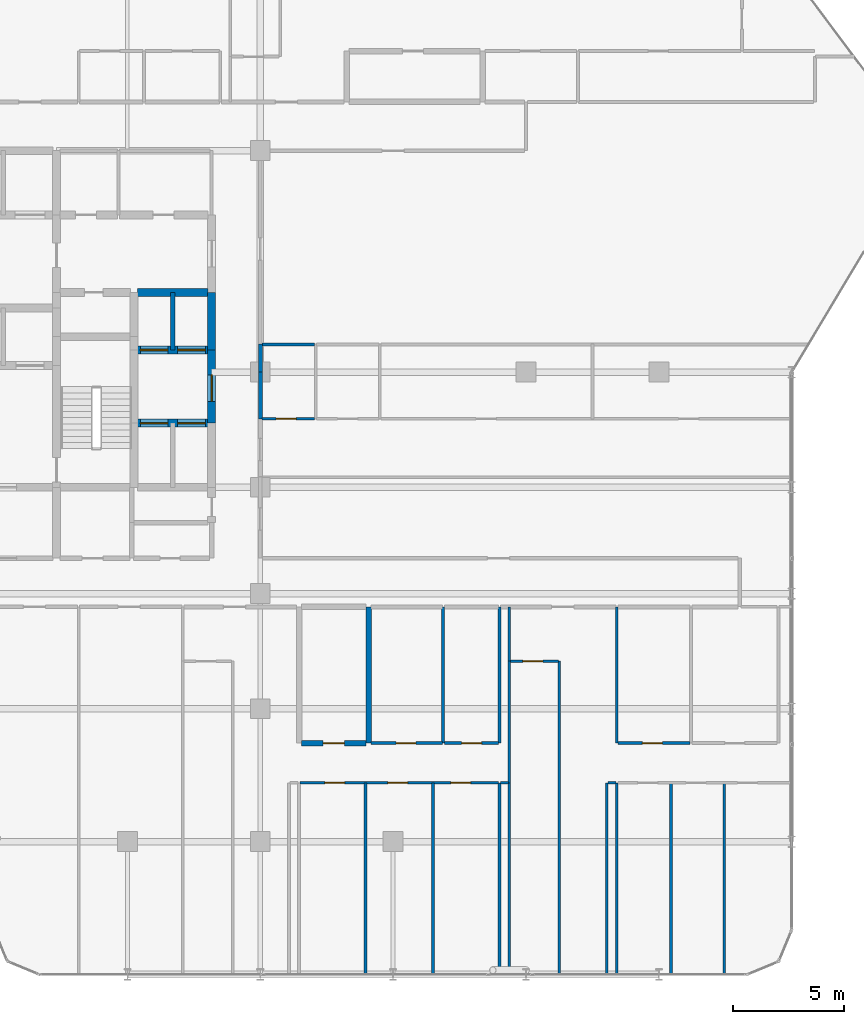
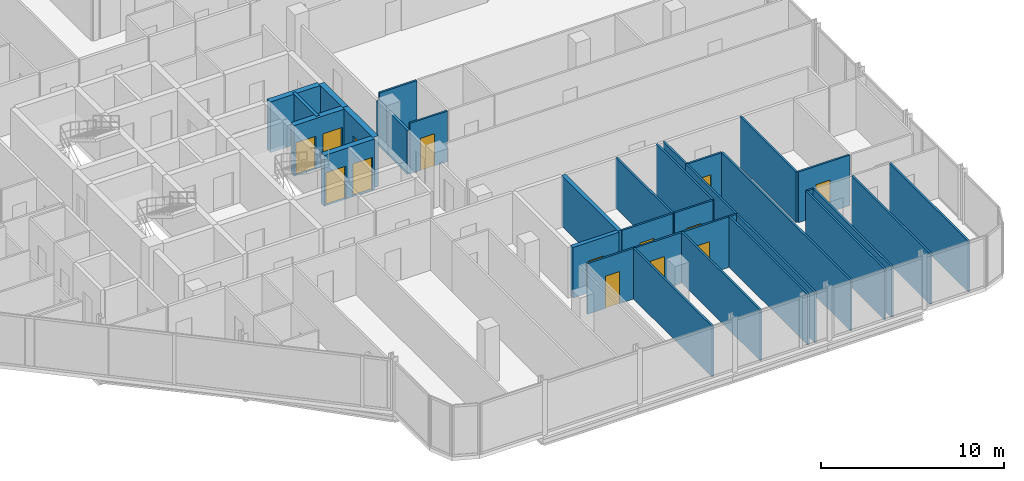
# One storey, part 27 of 32: 33 walls, 14 doors, 14 openings.
"""IFC4 building model written with IfcOpenShell, lengths in metres."""

from ifc_helpers import new_model, si_unit, direction, frame, frame_2d, origin, place, context, subcontext, project, spatial, rectangle, extrude, material, layer, layer_set, type_object, element, fill, save


model = new_model("IFC4")

# Units and contexts
model_context = context("Model", 3, precision=1e-05, world=origin(), true_north=direction((0.0, 1.0)))
body_context = subcontext(model_context, "Body", "Model", "MODEL_VIEW")
ifc_project = project(units=[si_unit("LENGTHUNIT", "METRE"), si_unit("AREAUNIT", "SQUARE_METRE"), si_unit("VOLUMEUNIT", "CUBIC_METRE"), si_unit("PLANEANGLEUNIT", "RADIAN"), si_unit("MASSUNIT", "GRAM", prefix="KILO")], contexts=[model_context])

# Site, building, storey
site_placement = place(None, origin())
site = spatial("IfcSite", under=ifc_project, at=site_placement, CompositionType="ELEMENT")
building_placement = place(site_placement, origin())
building = spatial("IfcBuilding", under=site, at=building_placement, Name="Keshet Zoharim Tower", CompositionType="ELEMENT")
storey_placement = place(building_placement, frame((0.0, 0.0, 137.199951171875)))
storey = spatial("IfcBuildingStorey", under=building, at=storey_placement, Name="L33", CompositionType="ELEMENT", Elevation=137.199951171875)

# Wall, opening, door
ifc_material_1 = material(Name="Concrete C60/75", Category="concrete")
ifc_layer_1 = layer(ifc_material_1, 0.35009765625)
ifc_layer_set_1 = layer_set([ifc_layer_1], Name="Concrete C60/75")
wall_type_1 = type_object("IfcWallType", Name="WL-CORE-350", PredefinedType="SHEAR", material=ifc_layer_set_1)
wall_1_placement = place(storey_placement, frame((30.800048828125, 25.60009765625, 0.0), z_axis=(0.0, 0.0, 1.0), x_axis=(0.0, 1.0, 0.0)))
wall_1 = element("IfcWall", 1, at=wall_1_placement, inside=storey, type_object=wall_type_1, Name="L33 Core Shear Wall 061", PredefinedType="SHEAR", context=body_context, shape_type="SweptSolid", body=[
    extrude(rectangle(XDim=3.2998046875, YDim=0.35009765625, at=frame_2d((1.64990234375, 0.0))), origin(), (0.0, 0.0, 1.0), 3.385009765625),
])
opening_1_placement = place(wall_1_placement, frame((0.97802734375, 0.0, 0.0)))
opening_1 = element("IfcOpeningElement", 2, at=opening_1_placement, cuts=wall_1, Name="Opening D-F612", PredefinedType="OPENING", context=body_context, shape_type="SweptSolid", body=[
    extrude(rectangle(XDim=1.199951171875, YDim=2.199951171875, at=frame_2d((0.60009765625, 1.10009765625))), frame((0.0, 0.18505859375, 0.0), z_axis=(0.0, -1.0, 0.0), x_axis=(1.0, 0.0, 0.0)), (0.0, 0.0, 1.0), 0.3701171875),
])
ifc_material_2 = material(Name="Hardwood Timber", Category="wood")
door_type_1 = type_object("IfcDoorType", Name="DR-FD60-120", OperationType="NOTDEFINED", PredefinedType="DOOR", material=ifc_material_2)
door_1_placement = place(opening_1_placement, origin())
door_1 = element("IfcDoor", 3, at=door_1_placement, inside=storey, type_object=door_type_1, Name="L33 East Lift Lobby Fire Door", OperationType="SINGLE_SWING_RIGHT", OverallHeight=2.199951171875, OverallWidth=1.199951171875, PredefinedType="DOOR", context=body_context, shape_type="SweptSolid", body=[
    extrude(rectangle(XDim=1.199951171875, YDim=2.199951171875, at=frame_2d((0.60009765625, 1.10009765625))), frame((0.0, 0.02490234375, 0.0), z_axis=(0.0, -1.0, 0.0), x_axis=(1.0, 0.0, 0.0)), (0.0, 0.0, 1.0), 0.050048828125),
])
fill(opening_1, door_1)

# Wall
wall_2_placement = place(storey_placement, frame((30.800048828125, 28.89990234375, 0.0), z_axis=(0.0, 0.0, 1.0), x_axis=(0.0, 1.0, 0.0)))
element("IfcWall", 4, at=wall_2_placement, inside=storey, type_object=wall_type_1, Name="L33 Core Shear Wall 062", PredefinedType="SHEAR", context=body_context, shape_type="SweptSolid", body=[
    extrude(rectangle(XDim=2.60009765625, YDim=0.35009765625, at=frame_2d((1.300048828125, 0.0))), origin(), (0.0, 0.0, 1.0), 3.385009765625),
])

# Wall, openings, doors
wall_3_placement = place(storey_placement, frame((27.4599609375, 25.60009765625, 0.0), z_axis=(0.0, 0.0, 1.0), x_axis=(1.0, 0.0, 0.0)))
wall_3 = element("IfcWall", 5, at=wall_3_placement, inside=storey, type_object=wall_type_1, Name="L33 Core Shear Wall 161", PredefinedType="SHEAR", context=body_context, shape_type="SweptSolid", body=[
    extrude(rectangle(XDim=3.179931640625, YDim=0.35009765625, at=frame_2d((1.58984375, 0.0))), origin(), (0.0, 0.0, 1.0), 3.385009765625),
])
opening_2_placement = place(wall_3_placement, frame((0.1201171875, 0.0, 0.0)))
opening_2 = element("IfcOpeningElement", 6, at=opening_2_placement, cuts=wall_3, Name="Opening LD-01", PredefinedType="OPENING", context=body_context, shape_type="SweptSolid", body=[
    extrude(rectangle(XDim=1.25, YDim=2.199951171875, at=frame_2d((0.625, 1.10009765625))), frame((0.0, 0.18505859375, 0.0), z_axis=(0.0, -1.0, 0.0), x_axis=(1.0, 0.0, 0.0)), (0.0, 0.0, 1.0), 0.3701171875),
])
opening_3_placement = place(wall_3_placement, frame((1.81005859375, 0.0, 0.0)))
opening_3 = element("IfcOpeningElement", 7, at=opening_3_placement, cuts=wall_3, Name="Opening LD-01", PredefinedType="OPENING", context=body_context, shape_type="SweptSolid", body=[
    extrude(rectangle(XDim=1.25, YDim=2.199951171875, at=frame_2d((0.625, 1.10009765625))), frame((0.0, 0.18505859375, 0.0), z_axis=(0.0, -1.0, 0.0), x_axis=(1.0, 0.0, 0.0)), (0.0, 0.0, 1.0), 0.3701171875),
])
ifc_material_3 = material(Name="Steel S355", Category="steel")
door_type_2 = type_object("IfcDoorType", Name="DR-LD01-125", OperationType="DOUBLE_DOOR_SLIDING", PredefinedType="DOOR", material=ifc_material_3)
door_2_placement = place(opening_2_placement, origin())
door_2 = element("IfcDoor", 8, at=door_2_placement, inside=storey, type_object=door_type_2, Name="L33 Passenger Lift Landing Door LF-07", OperationType="DOUBLE_DOOR_SLIDING", OverallHeight=2.199951171875, OverallWidth=1.25, PredefinedType="DOOR", context=body_context, shape_type="SweptSolid", body=[
    extrude(rectangle(XDim=1.25, YDim=2.199951171875, at=frame_2d((0.625, 1.10009765625))), frame((0.0, 0.02490234375, 0.0), z_axis=(0.0, -1.0, 0.0), x_axis=(1.0, 0.0, 0.0)), (0.0, 0.0, 1.0), 0.050048828125),
])
fill(opening_2, door_2)
door_3_placement = place(opening_3_placement, origin())
door_3 = element("IfcDoor", 9, at=door_3_placement, inside=storey, type_object=door_type_2, Name="L33 Passenger Lift Landing Door LF-08", OperationType="DOUBLE_DOOR_SLIDING", OverallHeight=2.199951171875, OverallWidth=1.25, PredefinedType="DOOR", context=body_context, shape_type="SweptSolid", body=[
    extrude(rectangle(XDim=1.25, YDim=2.199951171875, at=frame_2d((0.625, 1.10009765625))), frame((0.0, 0.02490234375, 0.0), z_axis=(0.0, -1.0, 0.0), x_axis=(1.0, 0.0, 0.0)), (0.0, 0.0, 1.0), 0.050048828125),
])
fill(opening_3, door_3)

wall_4_placement = place(storey_placement, frame((27.4599609375, 28.89990234375, 0.0), z_axis=(0.0, 0.0, 1.0), x_axis=(1.0, 0.0, 0.0)))
wall_4 = element("IfcWall", 10, at=wall_4_placement, inside=storey, type_object=wall_type_1, Name="L33 Core Shear Wall 172", PredefinedType="SHEAR", context=body_context, shape_type="SweptSolid", body=[
    extrude(rectangle(XDim=3.179931640625, YDim=0.35009765625, at=frame_2d((1.58984375, 0.0))), origin(), (0.0, 0.0, 1.0), 3.385009765625),
])
opening_4_placement = place(wall_4_placement, frame((0.1201171875, 0.0, 0.0)))
opening_4 = element("IfcOpeningElement", 11, at=opening_4_placement, cuts=wall_4, Name="Opening LD-01", PredefinedType="OPENING", context=body_context, shape_type="SweptSolid", body=[
    extrude(rectangle(XDim=1.25, YDim=2.199951171875, at=frame_2d((0.625, 1.10009765625))), frame((0.0, 0.18505859375, 0.0), z_axis=(0.0, -1.0, 0.0), x_axis=(1.0, 0.0, 0.0)), (0.0, 0.0, 1.0), 0.3701171875),
])
opening_5_placement = place(wall_4_placement, frame((1.81005859375, 0.0, 0.0)))
opening_5 = element("IfcOpeningElement", 12, at=opening_5_placement, cuts=wall_4, Name="Opening LD-01", PredefinedType="OPENING", context=body_context, shape_type="SweptSolid", body=[
    extrude(rectangle(XDim=1.25, YDim=2.199951171875, at=frame_2d((0.625, 1.10009765625))), frame((0.0, 0.18505859375, 0.0), z_axis=(0.0, -1.0, 0.0), x_axis=(1.0, 0.0, 0.0)), (0.0, 0.0, 1.0), 0.3701171875),
])
door_4_placement = place(opening_4_placement, origin())
door_4 = element("IfcDoor", 13, at=door_4_placement, inside=storey, type_object=door_type_2, Name="L33 Passenger Lift Landing Door LF-05", OperationType="DOUBLE_DOOR_SLIDING", OverallHeight=2.199951171875, OverallWidth=1.25, PredefinedType="DOOR", context=body_context, shape_type="SweptSolid", body=[
    extrude(rectangle(XDim=1.25, YDim=2.199951171875, at=frame_2d((0.625, 1.10009765625))), frame((0.0, 0.02490234375, 0.0), z_axis=(0.0, -1.0, 0.0), x_axis=(1.0, 0.0, 0.0)), (0.0, 0.0, 1.0), 0.050048828125),
])
fill(opening_4, door_4)
door_5_placement = place(opening_5_placement, origin())
door_5 = element("IfcDoor", 14, at=door_5_placement, inside=storey, type_object=door_type_2, Name="L33 Passenger Lift Landing Door LF-06", OperationType="DOUBLE_DOOR_SLIDING", OverallHeight=2.199951171875, OverallWidth=1.25, PredefinedType="DOOR", context=body_context, shape_type="SweptSolid", body=[
    extrude(rectangle(XDim=1.25, YDim=2.199951171875, at=frame_2d((0.625, 1.10009765625))), frame((0.0, 0.02490234375, 0.0), z_axis=(0.0, -1.0, 0.0), x_axis=(1.0, 0.0, 0.0)), (0.0, 0.0, 1.0), 0.050048828125),
])
fill(opening_5, door_5)

# Walls
wall_5_placement = place(storey_placement, frame((27.4599609375, 31.5, 0.0), z_axis=(0.0, 0.0, 1.0), x_axis=(1.0, 0.0, 0.0)))
element("IfcWall", 15, at=wall_5_placement, inside=storey, type_object=wall_type_1, Name="L33 Core Shear Wall 183", PredefinedType="SHEAR", context=body_context, shape_type="SweptSolid", body=[
    extrude(rectangle(XDim=3.179931640625, YDim=0.35009765625, at=frame_2d((1.58984375, 0.0))), origin(), (0.0, 0.0, 1.0), 3.385009765625),
])
ifc_material_4 = material(Name="Gypsum Plasterboard", Category="gypsum")
ifc_layer_2 = layer(ifc_material_4, 0.179931640625)
ifc_layer_set_2 = layer_set([ifc_layer_2], Name="Gypsum Plasterboard")
wall_type_2 = type_object("IfcWallType", Name="WL-CORR-180", PredefinedType="STANDARD", material=ifc_layer_set_2)
wall_6_placement = place(storey_placement, frame((33.0, 25.780029296875, 0.0), z_axis=(0.0, 0.0, 1.0), x_axis=(0.0, 1.0, 0.0)))
element("IfcWall", 16, at=wall_6_placement, inside=storey, type_object=wall_type_2, Name="L33 Interior Wall 073", PredefinedType="STANDARD", context=body_context, shape_type="SweptSolid", body=[
    extrude(rectangle(XDim=2.119873046875, YDim=0.179931640625, at=frame_2d((1.06005859375, 0.0))), origin(), (0.0, 0.0, 1.0), 2.93505859375),
])
wall_7_placement = place(storey_placement, frame((33.0, 27.89990234375, 0.0), z_axis=(0.0, 0.0, 1.0), x_axis=(0.0, 1.0, 0.0)))
element("IfcWall", 17, at=wall_7_placement, inside=storey, type_object=wall_type_2, Name="L33 Interior Wall 073 Part 2", PredefinedType="STANDARD", context=body_context, shape_type="SweptSolid", body=[
    extrude(rectangle(XDim=1.260009765625, YDim=0.179931640625, at=frame_2d((0.6298828125, 0.0))), origin(), (0.0, 0.0, 1.0), 2.885009765625),
])
ifc_material_5 = material(Name="Concrete C50/60", Category="concrete")
ifc_layer_3 = layer(ifc_material_5, 0.199951171875)
ifc_layer_set_3 = layer_set([ifc_layer_3], Name="Concrete C50/60")
wall_type_3 = type_object("IfcWallType", Name="WL-FIRE-200", PredefinedType="STANDARD", material=ifc_layer_set_3)
wall_8_placement = place(storey_placement, frame((29.050048828125, 28.89990234375, 0.0), z_axis=(0.0, 0.0, 1.0), x_axis=(0.0, 1.0, 0.0)))
element("IfcWall", 18, at=wall_8_placement, inside=storey, type_object=wall_type_3, Name="L33 Interior Wall 055", PredefinedType="STANDARD", context=body_context, shape_type="SweptSolid", body=[
    extrude(rectangle(XDim=2.60009765625, YDim=0.199951171875, at=frame_2d((1.300048828125, 0.0))), origin(), (0.0, 0.0, 1.0), 3.385009765625),
])
ifc_layer_4 = layer(ifc_material_5, 0.25)
ifc_layer_set_4 = layer_set([ifc_layer_4], Name="Concrete C50/60")
wall_type_4 = type_object("IfcWallType", Name="WL-MAMAD-250", PredefinedType="STANDARD", material=ifc_layer_set_4)
wall_9_placement = place(storey_placement, frame((37.89990234375, 11.14990234375, 0.0), z_axis=(0.0, 0.0, 1.0), x_axis=(0.0, 1.0, 0.0)))
element("IfcWall", 19, at=wall_9_placement, inside=storey, type_object=wall_type_4, Name="L33 Interior Wall 086", PredefinedType="STANDARD", context=body_context, shape_type="SweptSolid", body=[
    extrude(rectangle(XDim=6.150146484375, YDim=0.25, at=frame_2d((3.0751953125, 0.0))), origin(), (0.0, 0.0, 1.0), 3.385009765625),
])

# Wall, opening, door
wall_10_placement = place(storey_placement, frame((34.860107421875, 11.14990234375, 0.0), z_axis=(0.0, 0.0, 1.0), x_axis=(1.0, 0.0, 0.0)))
wall_10 = element("IfcWall", 20, at=wall_10_placement, inside=storey, type_object=wall_type_4, Name="L33 Interior Wall 121", PredefinedType="STANDARD", context=body_context, shape_type="SweptSolid", body=[
    extrude(rectangle(XDim=2.914794921875, YDim=0.25, at=frame_2d((1.45751953125, 0.0))), origin(), (0.0, 0.0, 1.0), 3.385009765625),
])
opening_6_placement = place(wall_10_placement, frame((0.98291015625, 0.0, 0.0)))
opening_6 = element("IfcOpeningElement", 21, at=opening_6_placement, cuts=wall_10, Name="Opening D-F695", PredefinedType="OPENING", context=body_context, shape_type="SweptSolid", body=[
    extrude(rectangle(XDim=0.949951171875, YDim=2.14990234375, at=frame_2d((0.47509765625, 1.074951171875))), frame((0.0, 0.135009765625, 0.0), z_axis=(0.0, -1.0, 0.0), x_axis=(1.0, 0.0, 0.0)), (0.0, 0.0, 1.0), 0.27001953125),
])
door_type_3 = type_object("IfcDoorType", Name="DR-FD60-095", OperationType="NOTDEFINED", PredefinedType="DOOR", material=ifc_material_2)
door_6_placement = place(opening_6_placement, origin())
door_6 = element("IfcDoor", 22, at=door_6_placement, inside=storey, type_object=door_type_3, Name="Apartment 3302 Study and Shelter Room Door", OperationType="SINGLE_SWING_RIGHT", OverallHeight=2.14990234375, OverallWidth=0.949951171875, PredefinedType="DOOR", context=body_context, shape_type="SweptSolid", body=[
    extrude(rectangle(XDim=0.949951171875, YDim=2.14990234375, at=frame_2d((0.47509765625, 1.074951171875))), frame((0.0, 0.02490234375, 0.0), z_axis=(0.0, -1.0, 0.0), x_axis=(1.0, 0.0, 0.0)), (0.0, 0.0, 1.0), 0.050048828125),
])
fill(opening_6, door_6)

# Walls
ifc_layer_5 = layer(ifc_material_4, 0.1201171875)
ifc_layer_set_5 = layer_set([ifc_layer_5], Name="Gypsum Plasterboard")
wall_type_5 = type_object("IfcWallType", Name="WL-PART-120", PredefinedType="PARTITIONING", material=ifc_layer_set_5)
for number, where, z_axis, x_axis, name in (
    (23, (37.75, 0.7099609375, 0.0), (0.0, 0.0, 1.0), (0.0, 1.0, 0.0), "L33 Interior Wall 085"),
    (24, (40.800048828125, 0.7099609375, 0.0), (0.0, 0.0, 1.0), (0.0, 1.0, 0.0), "L33 Interior Wall 089"),
    (25, (43.800048828125, 0.7099609375, 0.0), (0.0, 0.0, 1.0), (0.0, 1.0, 0.0), "L33 Interior Wall 093"),
    (26, (44.25, 0.7099609375, 0.0), (0.0, 0.0, 1.0), (0.0, 1.0, 0.0), "L33 Interior Wall 095"),
):
    element("IfcWall", number, at=place(storey_placement, frame(where, z_axis=z_axis, x_axis=x_axis)), inside=storey, type_object=wall_type_5, Name=name, PredefinedType="PARTITIONING", context=body_context, shape_type="SweptSolid", body=[
        extrude(rectangle(XDim=8.64013671875, YDim=0.1201171875, at=frame_2d((4.320068359375, 0.0))), origin(), (0.0, 0.0, 1.0), 3.385009765625),
    ])
wall_11_placement = place(storey_placement, frame((44.25, 9.35009765625, 0.0), z_axis=(0.0, 0.0, 1.0), x_axis=(0.0, 1.0, 0.0)))
element("IfcWall", 27, at=wall_11_placement, inside=storey, type_object=wall_type_5, Name="L33 Interior Wall 096", PredefinedType="PARTITIONING", context=body_context, shape_type="SweptSolid", body=[
    extrude(rectangle(XDim=5.5, YDim=0.1201171875, at=frame_2d((2.75, 0.0))), origin(), (0.0, 0.0, 1.0), 3.385009765625),
])
wall_12_placement = place(storey_placement, frame((44.25, 14.85009765625, 0.0), z_axis=(0.0, 0.0, 1.0), x_axis=(0.0, 1.0, 0.0)))
element("IfcWall", 28, at=wall_12_placement, inside=storey, type_object=wall_type_5, Name="L33 Interior Wall 097", PredefinedType="PARTITIONING", context=body_context, shape_type="SweptSolid", body=[
    extrude(rectangle(XDim=2.449951171875, YDim=0.1201171875, at=frame_2d((1.22509765625, 0.0))), origin(), (0.0, 0.0, 1.0), 3.385009765625),
])
wall_13_placement = place(storey_placement, frame((46.5, 0.7099609375, 0.0), z_axis=(0.0, 0.0, 1.0), x_axis=(0.0, 1.0, 0.0)))
element("IfcWall", 29, at=wall_13_placement, inside=storey, type_object=wall_type_5, Name="L33 Interior Wall 100", PredefinedType="PARTITIONING", context=body_context, shape_type="SweptSolid", body=[
    extrude(rectangle(XDim=14.14013671875, YDim=0.1201171875, at=frame_2d((7.070068359375, 0.0))), origin(), (0.0, 0.0, 1.0), 3.385009765625),
])
for number, where, z_axis, x_axis, name in (
    (30, (48.64990234375, 0.7099609375, 0.0), (0.0, 0.0, 1.0), (0.0, 1.0, 0.0), "L33 Interior Wall 104"),
    (31, (49.10009765625, 0.7099609375, 0.0), (0.0, 0.0, 1.0), (0.0, 1.0, 0.0), "L33 Interior Wall 105"),
):
    element("IfcWall", number, at=place(storey_placement, frame(where, z_axis=z_axis, x_axis=x_axis)), inside=storey, type_object=wall_type_5, Name=name, PredefinedType="PARTITIONING", context=body_context, shape_type="SweptSolid", body=[
        extrude(rectangle(XDim=8.64013671875, YDim=0.1201171875, at=frame_2d((4.320068359375, 0.0))), origin(), (0.0, 0.0, 1.0), 3.385009765625),
    ])
wall_14_placement = place(storey_placement, frame((49.10009765625, 11.14990234375, 0.0), z_axis=(0.0, 0.0, 1.0), x_axis=(0.0, 1.0, 0.0)))
element("IfcWall", 32, at=wall_14_placement, inside=storey, type_object=wall_type_5, Name="L33 Interior Wall 106", PredefinedType="PARTITIONING", context=body_context, shape_type="SweptSolid", body=[
    extrude(rectangle(XDim=6.150146484375, YDim=0.1201171875, at=frame_2d((3.0751953125, 0.0))), origin(), (0.0, 0.0, 1.0), 3.385009765625),
])
for number, where, z_axis, x_axis, name in (
    (33, (51.550048828125, 0.7099609375, 0.0), (0.0, 0.0, 1.0), (0.0, 1.0, 0.0), "L33 Interior Wall 108"),
    (34, (53.949951171875, 0.7099609375, 0.0), (0.0, 0.0, 1.0), (0.0, 1.0, 0.0), "L33 Interior Wall 111"),
):
    element("IfcWall", number, at=place(storey_placement, frame(where, z_axis=z_axis, x_axis=x_axis)), inside=storey, type_object=wall_type_5, Name=name, PredefinedType="PARTITIONING", context=body_context, shape_type="SweptSolid", body=[
        extrude(rectangle(XDim=8.64013671875, YDim=0.1201171875, at=frame_2d((4.320068359375, 0.0))), origin(), (0.0, 0.0, 1.0), 3.385009765625),
    ])

# Wall, openings, doors
wall_15_placement = place(storey_placement, frame((34.794921875, 9.35009765625, 0.0), z_axis=(0.0, 0.0, 1.0), x_axis=(1.0, 0.0, 0.0)))
wall_15 = element("IfcWall", 35, at=wall_15_placement, inside=storey, type_object=wall_type_5, Name="L33 Interior Wall 117", PredefinedType="PARTITIONING", context=body_context, shape_type="SweptSolid", body=[
    extrude(rectangle(XDim=8.969970703125, YDim=0.1201171875, at=frame_2d((4.48486328125, 0.0))), origin(), (0.0, 0.0, 1.0), 3.385009765625),
])
opening_7_placement = place(wall_15_placement, frame((1.118896484375, 0.0, 0.0)))
opening_7 = element("IfcOpeningElement", 36, at=opening_7_placement, cuts=wall_15, Name="Opening D-IN90", PredefinedType="OPENING", context=body_context, shape_type="SweptSolid", body=[
    extrude(rectangle(XDim=0.89990234375, YDim=2.14990234375, at=frame_2d((0.449951171875, 1.074951171875))), frame((0.0, 0.070068359375, 0.0), z_axis=(0.0, -1.0, 0.0), x_axis=(1.0, 0.0, 0.0)), (0.0, 0.0, 1.0), 0.14013671875),
])
opening_8_placement = place(wall_15_placement, frame((3.9619140625, 0.0, 0.0)))
opening_8 = element("IfcOpeningElement", 37, at=opening_8_placement, cuts=wall_15, Name="Opening D-IN90", PredefinedType="OPENING", context=body_context, shape_type="SweptSolid", body=[
    extrude(rectangle(XDim=0.89990234375, YDim=2.14990234375, at=frame_2d((0.449951171875, 1.074951171875))), frame((0.0, 0.070068359375, 0.0), z_axis=(0.0, -1.0, 0.0), x_axis=(1.0, 0.0, 0.0)), (0.0, 0.0, 1.0), 0.14013671875),
])
opening_9_placement = place(wall_15_placement, frame((6.80908203125, 0.0, 0.0)))
opening_9 = element("IfcOpeningElement", 38, at=opening_9_placement, cuts=wall_15, Name="Opening D-IN90", PredefinedType="OPENING", context=body_context, shape_type="SweptSolid", body=[
    extrude(rectangle(XDim=0.89990234375, YDim=2.14990234375, at=frame_2d((0.449951171875, 1.074951171875))), frame((0.0, 0.070068359375, 0.0), z_axis=(0.0, -1.0, 0.0), x_axis=(1.0, 0.0, 0.0)), (0.0, 0.0, 1.0), 0.14013671875),
])
door_type_4 = type_object("IfcDoorType", Name="DR-INT-090", OperationType="NOTDEFINED", PredefinedType="DOOR", material=ifc_material_2)
door_7_placement = place(opening_7_placement, origin())
door_7 = element("IfcDoor", 39, at=door_7_placement, inside=storey, type_object=door_type_4, Name="Apartment 3302 Bedroom 1 Door", OperationType="SINGLE_SWING_RIGHT", OverallHeight=2.14990234375, OverallWidth=0.89990234375, PredefinedType="DOOR", context=body_context, shape_type="SweptSolid", body=[
    extrude(rectangle(XDim=0.89990234375, YDim=2.14990234375, at=frame_2d((0.449951171875, 1.074951171875))), frame((0.0, 0.02490234375, 0.0), z_axis=(0.0, -1.0, 0.0), x_axis=(1.0, 0.0, 0.0)), (0.0, 0.0, 1.0), 0.050048828125),
])
fill(opening_7, door_7)
door_8_placement = place(opening_8_placement, origin())
door_8 = element("IfcDoor", 40, at=door_8_placement, inside=storey, type_object=door_type_4, Name="Apartment 3302 Bedroom 2 Door", OperationType="SINGLE_SWING_LEFT", OverallHeight=2.14990234375, OverallWidth=0.89990234375, PredefinedType="DOOR", context=body_context, shape_type="SweptSolid", body=[
    extrude(rectangle(XDim=0.89990234375, YDim=2.14990234375, at=frame_2d((0.449951171875, 1.074951171875))), frame((0.0, 0.02490234375, 0.0), z_axis=(0.0, -1.0, 0.0), x_axis=(1.0, 0.0, 0.0)), (0.0, 0.0, 1.0), 0.050048828125),
])
fill(opening_8, door_8)
door_9_placement = place(opening_9_placement, origin())
door_9 = element("IfcDoor", 41, at=door_9_placement, inside=storey, type_object=door_type_4, Name="Apartment 3302 Bedroom 3 Door", OperationType="SINGLE_SWING_RIGHT", OverallHeight=2.14990234375, OverallWidth=0.89990234375, PredefinedType="DOOR", context=body_context, shape_type="SweptSolid", body=[
    extrude(rectangle(XDim=0.89990234375, YDim=2.14990234375, at=frame_2d((0.449951171875, 1.074951171875))), frame((0.0, 0.02490234375, 0.0), z_axis=(0.0, -1.0, 0.0), x_axis=(1.0, 0.0, 0.0)), (0.0, 0.0, 1.0), 0.050048828125),
])
fill(opening_9, door_9)

# Walls
wall_16_placement = place(storey_placement, frame((43.85498046875, 9.35009765625, 0.0), z_axis=(0.0, 0.0, 1.0), x_axis=(1.0, 0.0, 0.0)))
element("IfcWall", 42, at=wall_16_placement, inside=storey, type_object=wall_type_5, Name="L33 Interior Wall 118", PredefinedType="PARTITIONING", context=body_context, shape_type="SweptSolid", body=[
    extrude(rectangle(XDim=0.360107421875, YDim=0.1201171875, at=frame_2d((0.18017578125, 0.0))), origin(), (0.0, 0.0, 1.0), 3.385009765625),
])
wall_17_placement = place(storey_placement, frame((48.705078125, 9.35009765625, 0.0), z_axis=(0.0, 0.0, 1.0), x_axis=(1.0, 0.0, 0.0)))
element("IfcWall", 43, at=wall_17_placement, inside=storey, type_object=wall_type_5, Name="L33 Interior Wall 119", PredefinedType="PARTITIONING", context=body_context, shape_type="SweptSolid", body=[
    extrude(rectangle(XDim=0.35986328125, YDim=0.1201171875, at=frame_2d((0.179931640625, 0.0))), origin(), (0.0, 0.0, 1.0), 3.385009765625),
])

# Wall, opening, door
wall_18_placement = place(storey_placement, frame((37.9951171875, 11.14990234375, 0.0), z_axis=(0.0, 0.0, 1.0), x_axis=(1.0, 0.0, 0.0)))
wall_18 = element("IfcWall", 44, at=wall_18_placement, inside=storey, type_object=wall_type_5, Name="L33 Interior Wall 122", PredefinedType="PARTITIONING", context=body_context, shape_type="SweptSolid", body=[
    extrude(rectangle(XDim=3.23291015625, YDim=0.1201171875, at=frame_2d((1.616455078125, 0.0))), origin(), (0.0, 0.0, 1.0), 3.385009765625),
])
opening_10_placement = place(wall_18_placement, frame((1.134033203125, 0.0, 0.0)))
opening_10 = element("IfcOpeningElement", 45, at=opening_10_placement, cuts=wall_18, Name="Opening D-IN90", PredefinedType="OPENING", context=body_context, shape_type="SweptSolid", body=[
    extrude(rectangle(XDim=0.89990234375, YDim=2.14990234375, at=frame_2d((0.449951171875, 1.074951171875))), frame((0.0, 0.070068359375, 0.0), z_axis=(0.0, -1.0, 0.0), x_axis=(1.0, 0.0, 0.0)), (0.0, 0.0, 1.0), 0.14013671875),
])
door_10_placement = place(opening_10_placement, origin())
door_10 = element("IfcDoor", 46, at=door_10_placement, inside=storey, type_object=door_type_4, Name="Apartment 3302 Kitchen Door", OperationType="SINGLE_SWING_LEFT", OverallHeight=2.14990234375, OverallWidth=0.89990234375, PredefinedType="DOOR", context=body_context, shape_type="SweptSolid", body=[
    extrude(rectangle(XDim=0.89990234375, YDim=2.14990234375, at=frame_2d((0.449951171875, 1.074951171875))), frame((0.0, 0.02490234375, 0.0), z_axis=(0.0, -1.0, 0.0), x_axis=(1.0, 0.0, 0.0)), (0.0, 0.0, 1.0), 0.050048828125),
])
fill(opening_10, door_10)

wall_19_placement = place(storey_placement, frame((49.155029296875, 11.14990234375, 0.0), z_axis=(0.0, 0.0, 1.0), x_axis=(1.0, 0.0, 0.0)))
wall_19 = element("IfcWall", 47, at=wall_19_placement, inside=storey, type_object=wall_type_5, Name="L33 Interior Wall 124", PredefinedType="PARTITIONING", context=body_context, shape_type="SweptSolid", body=[
    extrude(rectangle(XDim=3.259033203125, YDim=0.1201171875, at=frame_2d((1.62939453125, 0.0))), origin(), (0.0, 0.0, 1.0), 3.385009765625),
])
opening_11_placement = place(wall_19_placement, frame((1.10498046875, 0.0, 0.0)))
opening_11 = element("IfcOpeningElement", 48, at=opening_11_placement, cuts=wall_19, Name="Opening D-IN90", PredefinedType="OPENING", context=body_context, shape_type="SweptSolid", body=[
    extrude(rectangle(XDim=0.89990234375, YDim=2.14990234375, at=frame_2d((0.449951171875, 1.074951171875))), frame((0.0, 0.070068359375, 0.0), z_axis=(0.0, -1.0, 0.0), x_axis=(1.0, 0.0, 0.0)), (0.0, 0.0, 1.0), 0.14013671875),
])
door_11_placement = place(opening_11_placement, origin())
door_11 = element("IfcDoor", 49, at=door_11_placement, inside=storey, type_object=door_type_4, Name="Apartment 3303 Kitchen Door", OperationType="SINGLE_SWING_LEFT", OverallHeight=2.14990234375, OverallWidth=0.89990234375, PredefinedType="DOOR", context=body_context, shape_type="SweptSolid", body=[
    extrude(rectangle(XDim=0.89990234375, YDim=2.14990234375, at=frame_2d((0.449951171875, 1.074951171875))), frame((0.0, 0.02490234375, 0.0), z_axis=(0.0, -1.0, 0.0), x_axis=(1.0, 0.0, 0.0)), (0.0, 0.0, 1.0), 0.050048828125),
])
fill(opening_11, door_11)

wall_20_placement = place(storey_placement, frame((44.304931640625, 14.85009765625, 0.0), z_axis=(0.0, 0.0, 1.0), x_axis=(1.0, 0.0, 0.0)))
wall_20 = element("IfcWall", 50, at=wall_20_placement, inside=storey, type_object=wall_type_5, Name="L33 Interior Wall 129", PredefinedType="PARTITIONING", context=body_context, shape_type="SweptSolid", body=[
    extrude(rectangle(XDim=2.16015625, YDim=0.1201171875, at=frame_2d((1.080078125, 0.0))), origin(), (0.0, 0.0, 1.0), 3.385009765625),
])
opening_12_placement = place(wall_20_placement, frame((0.552978515625, 0.0, 0.0)))
opening_12 = element("IfcOpeningElement", 51, at=opening_12_placement, cuts=wall_20, Name="Opening D-IN90", PredefinedType="OPENING", context=body_context, shape_type="SweptSolid", body=[
    extrude(rectangle(XDim=0.89990234375, YDim=2.14990234375, at=frame_2d((0.449951171875, 1.074951171875))), frame((0.0, 0.070068359375, 0.0), z_axis=(0.0, -1.0, 0.0), x_axis=(1.0, 0.0, 0.0)), (0.0, 0.0, 1.0), 0.14013671875),
])
door_12_placement = place(opening_12_placement, origin())
door_12 = element("IfcDoor", 52, at=door_12_placement, inside=storey, type_object=door_type_4, Name="Apartment 3303 Formal Dining Room Door", OperationType="SINGLE_SWING_RIGHT", OverallHeight=2.14990234375, OverallWidth=0.89990234375, PredefinedType="DOOR", context=body_context, shape_type="SweptSolid", body=[
    extrude(rectangle(XDim=0.89990234375, YDim=2.14990234375, at=frame_2d((0.449951171875, 1.074951171875))), frame((0.0, 0.02490234375, 0.0), z_axis=(0.0, -1.0, 0.0), x_axis=(1.0, 0.0, 0.0)), (0.0, 0.0, 1.0), 0.050048828125),
])
fill(opening_12, door_12)

wall_21_placement = place(storey_placement, frame((33.074951171875, 25.800048828125, 0.0), z_axis=(0.0, 0.0, 1.0), x_axis=(1.0, 0.0, 0.0)))
wall_21 = element("IfcWall", 53, at=wall_21_placement, inside=storey, type_object=wall_type_5, Name="L33 Interior Wall 164", PredefinedType="PARTITIONING", context=body_context, shape_type="SweptSolid", body=[
    extrude(rectangle(XDim=2.364013671875, YDim=0.1201171875, at=frame_2d((1.18212890625, 0.0))), origin(), (0.0, 0.0, 1.0), 3.385009765625),
])
opening_13_placement = place(wall_21_placement, frame((0.64111328125, 0.0, 0.0)))
opening_13 = element("IfcOpeningElement", 54, at=opening_13_placement, cuts=wall_21, Name="Opening D-IN90", PredefinedType="OPENING", context=body_context, shape_type="SweptSolid", body=[
    extrude(rectangle(XDim=0.89990234375, YDim=2.14990234375, at=frame_2d((0.449951171875, 1.074951171875))), frame((0.0, 0.070068359375, 0.0), z_axis=(0.0, -1.0, 0.0), x_axis=(1.0, 0.0, 0.0)), (0.0, 0.0, 1.0), 0.14013671875),
])
door_13_placement = place(opening_13_placement, origin())
door_13 = element("IfcDoor", 55, at=door_13_placement, inside=storey, type_object=door_type_4, Name="Apartment 3309 Kitchen Door", OperationType="SINGLE_SWING_RIGHT", OverallHeight=2.14990234375, OverallWidth=0.89990234375, PredefinedType="DOOR", context=body_context, shape_type="SweptSolid", body=[
    extrude(rectangle(XDim=0.89990234375, YDim=2.14990234375, at=frame_2d((0.449951171875, 1.074951171875))), frame((0.0, 0.02490234375, 0.0), z_axis=(0.0, -1.0, 0.0), x_axis=(1.0, 0.0, 0.0)), (0.0, 0.0, 1.0), 0.050048828125),
])
fill(opening_13, door_13)

# Walls
wall_22_placement = place(storey_placement, frame((33.074951171875, 29.14990234375, 0.0), z_axis=(0.0, 0.0, 1.0), x_axis=(1.0, 0.0, 0.0)))
element("IfcWall", 56, at=wall_22_placement, inside=storey, type_object=wall_type_5, Name="L33 Interior Wall 173", PredefinedType="PARTITIONING", context=body_context, shape_type="SweptSolid", body=[
    extrude(rectangle(XDim=2.364013671875, YDim=0.1201171875, at=frame_2d((1.18212890625, 0.0))), origin(), (0.0, 0.0, 1.0), 3.385009765625),
])
ifc_layer_6 = layer(ifc_material_4, 0.1201171875)
ifc_layer_set_6 = layer_set([ifc_layer_6], Name="Gypsum Plasterboard")
wall_type_6 = type_object("IfcWallType", Name="WL-WET-120", PredefinedType="PARTITIONING", material=ifc_layer_set_6)
for number, where, z_axis, x_axis, name in (
    (57, (41.25, 11.14990234375, 0.0), (0.0, 0.0, 1.0), (0.0, 1.0, 0.0), "L33 Interior Wall 090"),
    (58, (43.800048828125, 11.14990234375, 0.0), (0.0, 0.0, 1.0), (0.0, 1.0, 0.0), "L33 Interior Wall 094"),
):
    element("IfcWall", number, at=place(storey_placement, frame(where, z_axis=z_axis, x_axis=x_axis)), inside=storey, type_object=wall_type_6, Name=name, PredefinedType="PARTITIONING", context=body_context, shape_type="SweptSolid", body=[
        extrude(rectangle(XDim=6.150146484375, YDim=0.1201171875, at=frame_2d((3.0751953125, 0.0))), origin(), (0.0, 0.0, 1.0), 3.385009765625),
    ])

# Wall, opening, door
wall_23_placement = place(storey_placement, frame((41.318115234375, 11.14990234375, 0.0), z_axis=(0.0, 0.0, 1.0), x_axis=(1.0, 0.0, 0.0)))
wall_23 = element("IfcWall", 59, at=wall_23_placement, inside=storey, type_object=wall_type_6, Name="L33 Interior Wall 123", PredefinedType="PARTITIONING", context=body_context, shape_type="SweptSolid", body=[
    extrude(rectangle(XDim=2.44677734375, YDim=0.1201171875, at=frame_2d((1.223388671875, 0.0))), origin(), (0.0, 0.0, 1.0), 3.385009765625),
])
opening_14_placement = place(wall_23_placement, frame((0.77392578125, 0.0, 0.0)))
opening_14 = element("IfcOpeningElement", 60, at=opening_14_placement, cuts=wall_23, Name="Opening D-WT90", PredefinedType="OPENING", context=body_context, shape_type="SweptSolid", body=[
    extrude(rectangle(XDim=0.89990234375, YDim=2.10009765625, at=frame_2d((0.449951171875, 1.050048828125))), frame((0.0, 0.070068359375, 0.0), z_axis=(0.0, -1.0, 0.0), x_axis=(1.0, 0.0, 0.0)), (0.0, 0.0, 1.0), 0.14013671875),
])
door_type_5 = type_object("IfcDoorType", Name="DR-WET-090", OperationType="NOTDEFINED", PredefinedType="DOOR", material=ifc_material_2)
door_14_placement = place(opening_14_placement, origin())
door_14 = element("IfcDoor", 61, at=door_14_placement, inside=storey, type_object=door_type_5, Name="Apartment 3302 Bathroom Door", OperationType="SINGLE_SWING_RIGHT", OverallHeight=2.10009765625, OverallWidth=0.89990234375, PredefinedType="DOOR", context=body_context, shape_type="SweptSolid", body=[
    extrude(rectangle(XDim=0.89990234375, YDim=2.10009765625, at=frame_2d((0.449951171875, 1.050048828125))), frame((0.0, 0.02490234375, 0.0), z_axis=(0.0, -1.0, 0.0), x_axis=(1.0, 0.0, 0.0)), (0.0, 0.0, 1.0), 0.050048828125),
])
fill(opening_14, door_14)

save(model, "model.ifc")
